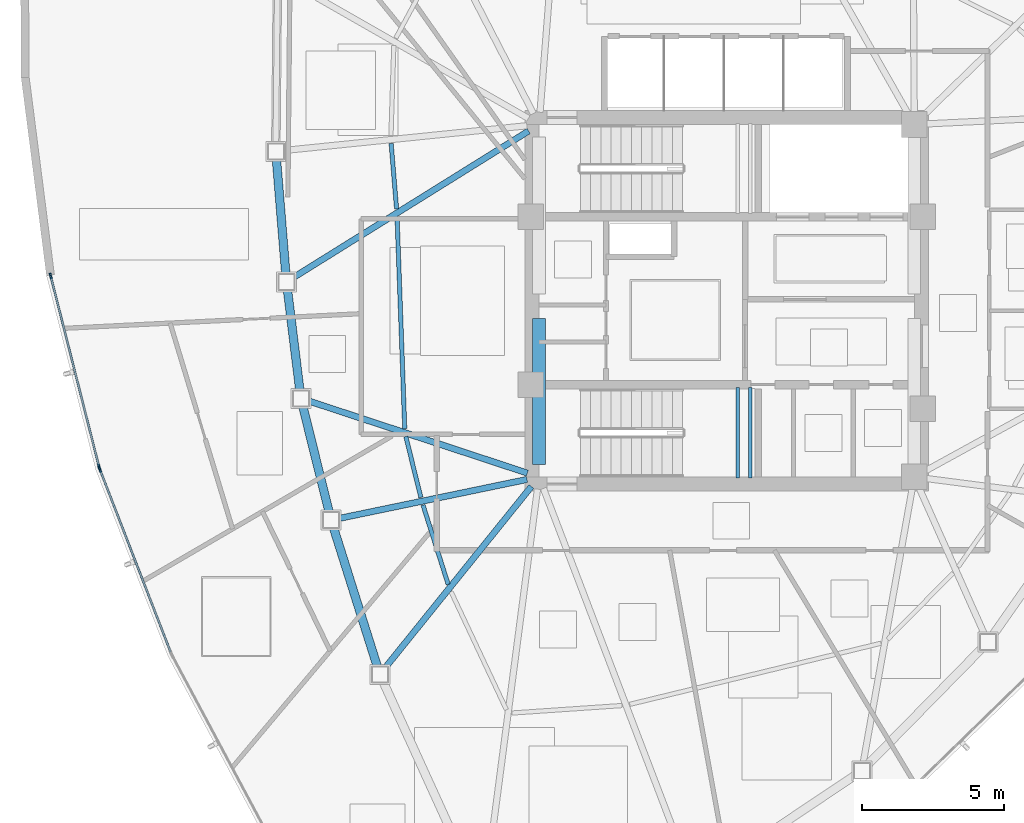
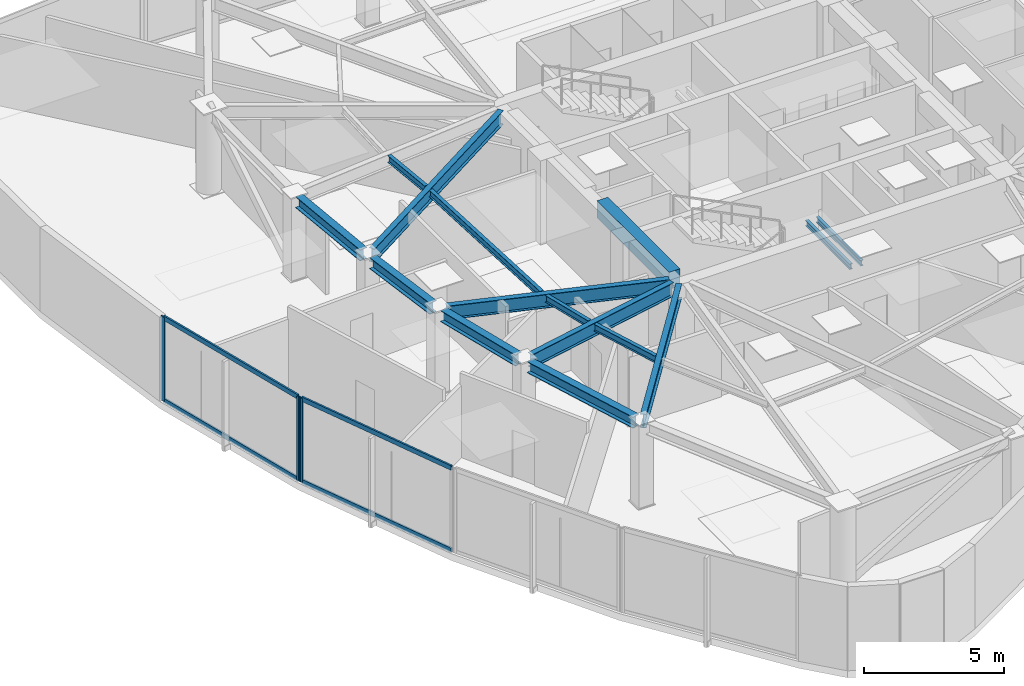
# One storey, part 3 of 13: 15 beams, 7 members, 2 elements without a shape of their own.
"""IFC4 building model written with IfcOpenShell, lengths in metres."""

from ifc_helpers import new_model, si_unit, direction, frame, origin, origin_2d, place, context, subcontext, project, spatial, rectangle, hollow_rectangle, i_section, extrude, source, transform, mapped, material, layer, layer_set, material_profile, profile_set, type_object, type_shapes, element, aggregate, save


model = new_model("IFC4")

# Units and contexts
model_context = context("Model", 3, precision=1e-05, world=origin(), true_north=direction((0.0, 1.0)))
body_context = subcontext(model_context, "Body", "Model", "MODEL_VIEW")
ifc_project = project(units=[si_unit("LENGTHUNIT", "METRE"), si_unit("AREAUNIT", "SQUARE_METRE"), si_unit("VOLUMEUNIT", "CUBIC_METRE"), si_unit("PLANEANGLEUNIT", "RADIAN"), si_unit("MASSUNIT", "GRAM", prefix="KILO")], contexts=[model_context])

# Site, building, storey
site_placement = place(None, origin())
site = spatial("IfcSite", under=ifc_project, at=site_placement, CompositionType="ELEMENT")
building_placement = place(site_placement, origin())
building = spatial("IfcBuilding", under=site, at=building_placement, Name="Tavelor Broadcast Tower", CompositionType="ELEMENT")
storey_placement = place(building_placement, frame((0.0, 0.0, 241.89990234375)))
storey = spatial("IfcBuildingStorey", under=building, at=storey_placement, Name="L57", CompositionType="ELEMENT", Elevation=241.89990234375)

# Beams
ifc_material_1 = material(Name="Concrete C40/50", Category="concrete")
ifc_material_profile_1 = material_profile(ifc_material_1, rectangle(XDim=0.449951171875, YDim=0.75, at=origin_2d()), Name="RC 450x750")
ifc_profile_set_1 = profile_set([ifc_material_profile_1], Name="Concrete C40/50")
beam_type_1 = type_object("IfcBeamType", Name="Basement Core Trim Beam 450x750", PredefinedType="BEAM", material=ifc_profile_set_1)
beam_1_placement = place(storey_placement, frame((43.39990234375, 39.23193359375, 3.275146484375), z_axis=(0.0, 1.0, 0.0), x_axis=(-1.0, 0.0, 0.0)))
element("IfcBeam", 1, at=beam_1_placement, inside=storey, type_object=beam_type_1, Name="L57 Core West-S Tie Girder", PredefinedType="BEAM", context=body_context, shape_type="SweptSolid", body=[
    extrude(rectangle(XDim=0.449951171875, YDim=0.75, at=origin_2d()), origin(), (0.0, 0.0, 1.0), 5.135986328125),
])
ifc_material_2 = material(Name="Steel S355", Category="steel")
ifc_material_profile_2 = material_profile(ifc_material_2, i_section(OverallWidth=0.14990234375, OverallDepth=0.300048828125, WebThickness=0.007080078125, FlangeThickness=0.0107421875, at=origin_2d()), Name="IPE 300")
ifc_profile_set_2 = profile_set([ifc_material_profile_2], Name="Steel S355")
beam_type_2 = type_object("IfcBeamType", Name="Composite Floor Joist T5 IPE 300", PredefinedType="JOIST", material=ifc_profile_set_2)
beam_2_placement = place(storey_placement, frame((38.19580078125, 50.529541015625, 3.5), z_axis=(0.082940684636, -0.996554485631, 0.0), x_axis=(0.996554485631, 0.082940684636, 0.0)))
element("IfcBeam", 2, at=beam_2_placement, inside=storey, type_object=beam_type_2, Name="L57 Secondary Composite Floor Joist 02", PredefinedType="JOIST", context=body_context, shape_type="SweptSolid", body=[
    extrude(i_section(OverallWidth=0.14990234375, OverallDepth=0.300048828125, WebThickness=0.007080078125, FlangeThickness=0.0107421875, at=origin_2d()), origin(), (0.0, 0.0, 1.0), 2.313720703125),
])
beam_3_placement = place(storey_placement, frame((38.404296875, 47.945556640625, 3.5), z_axis=(0.036223057878, -0.999343729694, 0.0), x_axis=(0.999343729694, 0.036223057878, 0.0)))
element("IfcBeam", 3, at=beam_3_placement, inside=storey, type_object=beam_type_2, Name="L57 Secondary Composite Floor Joist 03", PredefinedType="JOIST", context=body_context, shape_type="SweptSolid", body=[
    extrude(i_section(OverallWidth=0.14990234375, OverallDepth=0.300048828125, WebThickness=0.007080078125, FlangeThickness=0.0107421875, at=origin_2d()), origin(), (0.0, 0.0, 1.0), 7.454345703125),
])
beam_4_placement = place(storey_placement, frame((38.712646484375, 40.221435546875, 3.5), z_axis=(0.239592093356, -0.970873642037, 0.0), x_axis=(0.970873642037, 0.239592093356, 0.0)))
element("IfcBeam", 4, at=beam_4_placement, inside=storey, type_object=beam_type_2, Name="L57 Secondary Composite Floor Joist 04", PredefinedType="JOIST", context=body_context, shape_type="SweptSolid", body=[
    extrude(i_section(OverallWidth=0.14990234375, OverallDepth=0.300048828125, WebThickness=0.007080078125, FlangeThickness=0.0107421875, at=origin_2d()), origin(), (0.0, 0.0, 1.0), 2.2060546875),
])
beam_5_placement = place(storey_placement, frame((39.316650390625, 37.811279296875, 3.5), z_axis=(0.302412009178, -0.953177306017, 0.0), x_axis=(0.953177306017, 0.302412009178, 0.0)))
element("IfcBeam", 5, at=beam_5_placement, inside=storey, type_object=beam_type_2, Name="L57 Secondary Composite Floor Joist 05", PredefinedType="JOIST", context=body_context, shape_type="SweptSolid", body=[
    extrude(i_section(OverallWidth=0.14990234375, OverallDepth=0.300048828125, WebThickness=0.007080078125, FlangeThickness=0.0107421875, at=origin_2d()), origin(), (0.0, 0.0, 1.0), 2.92822265625),
])
ifc_material_profile_3 = material_profile(ifc_material_2, i_section(OverallWidth=0.300048828125, OverallDepth=0.489990234375, WebThickness=0.011962890625, FlangeThickness=0.02294921875, at=origin_2d()), Name="HEA 500")
ifc_profile_set_3 = profile_set([ifc_material_profile_3], Name="Steel S355")
beam_type_3 = type_object("IfcBeamType", Name="Perimeter Spandrel Beam T5 HEA 500", PredefinedType="SPANDREL", material=ifc_profile_set_3)
beam_6_placement = place(storey_placement, frame((34.16064453125, 49.968994140625, 3.405029296875), z_axis=(0.081762275835, -0.996651860105, 0.0), x_axis=(0.996651860105, 0.081762275835, 0.0)))
element("IfcBeam", 6, at=beam_6_placement, inside=storey, type_object=beam_type_3, Name="L57 Framed-Tube Ring Spandrel 02", PredefinedType="SPANDREL", context=body_context, shape_type="SweptSolid", body=[
    extrude(i_section(OverallWidth=0.300048828125, OverallDepth=0.489990234375, WebThickness=0.011962890625, FlangeThickness=0.02294921875, at=origin_2d()), origin(), (0.0, 0.0, 1.0), 4.031005859375),
])
beam_7_placement = place(storey_placement, frame((34.548828125, 45.378662109375, 3.405029296875), z_axis=(0.122285270418, -0.99249499376, 0.0), x_axis=(0.99249499376, 0.122285270418, 0.0)))
element("IfcBeam", 7, at=beam_7_placement, inside=storey, type_object=beam_type_3, Name="L57 Framed-Tube Ring Spandrel 03", PredefinedType="SPANDREL", context=body_context, shape_type="SweptSolid", body=[
    extrude(i_section(OverallWidth=0.300048828125, OverallDepth=0.489990234375, WebThickness=0.011962890625, FlangeThickness=0.02294921875, at=origin_2d()), origin(), (0.0, 0.0, 1.0), 3.5556640625),
])
beam_8_placement = place(storey_placement, frame((35.08837890625, 41.284423828125, 3.405029296875), z_axis=(0.24127750007, -0.970456164883, 0.0), x_axis=(0.970456164883, 0.24127750007, 0.0)))
element("IfcBeam", 8, at=beam_8_placement, inside=storey, type_object=beam_type_3, Name="L57 Framed-Tube Ring Spandrel 04", PredefinedType="SPANDREL", context=body_context, shape_type="SweptSolid", body=[
    extrude(i_section(OverallWidth=0.300048828125, OverallDepth=0.489990234375, WebThickness=0.011962890625, FlangeThickness=0.02294921875, at=origin_2d()), origin(), (0.0, 0.0, 1.0), 3.8359375),
])
beam_9_placement = place(storey_placement, frame((36.170166015625, 37.0078125, 3.405029296875), z_axis=(0.300957826527, -0.95363745032, 0.0), x_axis=(0.95363745032, 0.300957826527, 0.0)))
element("IfcBeam", 9, at=beam_9_placement, inside=storey, type_object=beam_type_3, Name="L57 Framed-Tube Ring Spandrel 05", PredefinedType="SPANDREL", context=body_context, shape_type="SweptSolid", body=[
    extrude(i_section(OverallWidth=0.300048828125, OverallDepth=0.489990234375, WebThickness=0.011962890625, FlangeThickness=0.02294921875, at=origin_2d()), origin(), (0.0, 0.0, 1.0), 5.1171875),
])
ifc_material_profile_4 = material_profile(ifc_material_2, i_section(OverallWidth=0.219970703125, OverallDepth=0.60009765625, WebThickness=0.011962890625, FlangeThickness=0.01904296875, at=origin_2d()), Name="IPE 600")
ifc_profile_set_4 = profile_set([ifc_material_profile_4], Name="Steel S355")
beam_type_4 = type_object("IfcBeamType", Name="Radial Floor Girder T5 IPE 600", PredefinedType="BEAM", material=ifc_profile_set_4)
beam_10_placement = place(storey_placement, frame((43.033203125, 50.9716796875, 3.35009765625), z_axis=(-0.848782406462, -0.528742306309, 0.0), x_axis=(0.528742306309, -0.848782406462, 0.0)))
element("IfcBeam", 10, at=beam_10_placement, inside=storey, type_object=beam_type_4, Name="L57 Radial Primary Floor Girder 03", PredefinedType="BEAM", context=body_context, shape_type="SweptSolid", body=[
    extrude(i_section(OverallWidth=0.219970703125, OverallDepth=0.60009765625, WebThickness=0.011962890625, FlangeThickness=0.01904296875, at=origin_2d()), origin(), (0.0, 0.0, 1.0), 9.7490234375),
])
beam_11_placement = place(storey_placement, frame((42.98974609375, 38.935302734375, 3.35009765625), z_axis=(-0.949693529109, 0.313180779692, 0.0), x_axis=(-0.313180779692, -0.949693529109, 0.0)))
element("IfcBeam", 11, at=beam_11_placement, inside=storey, type_object=beam_type_4, Name="L57 Radial Primary Floor Girder 04", PredefinedType="BEAM", context=body_context, shape_type="SweptSolid", body=[
    extrude(i_section(OverallWidth=0.219970703125, OverallDepth=0.60009765625, WebThickness=0.011962890625, FlangeThickness=0.01904296875, at=origin_2d()), origin(), (0.0, 0.0, 1.0), 8.10498046875),
])
beam_12_placement = place(storey_placement, frame((42.97705078125, 38.71240234375, 3.35009765625), z_axis=(-0.979152429868, -0.203126854658, 0.0), x_axis=(0.203126854658, -0.979152429868, 0.0)))
element("IfcBeam", 12, at=beam_12_placement, inside=storey, type_object=beam_type_4, Name="L57 Radial Primary Floor Girder 05", PredefinedType="BEAM", context=body_context, shape_type="SweptSolid", body=[
    extrude(i_section(OverallWidth=0.219970703125, OverallDepth=0.60009765625, WebThickness=0.011962890625, FlangeThickness=0.01904296875, at=origin_2d()), origin(), (0.0, 0.0, 1.0), 6.75244140625),
])
beam_13_placement = place(storey_placement, frame((43.12890625, 38.463623046875, 3.35009765625), z_axis=(-0.627821660469, -0.778357220463, 0.0), x_axis=(0.778357220463, -0.627821660469, 0.0)))
element("IfcBeam", 13, at=beam_13_placement, inside=storey, type_object=beam_type_4, Name="L57 Radial Primary Floor Girder 06", PredefinedType="BEAM", context=body_context, shape_type="SweptSolid", body=[
    extrude(i_section(OverallWidth=0.219970703125, OverallDepth=0.60009765625, WebThickness=0.011962890625, FlangeThickness=0.01904296875, at=origin_2d()), origin(), (0.0, 0.0, 1.0), 8.204833984375),
])
ifc_material_profile_5 = material_profile(ifc_material_2, i_section(OverallWidth=0.1201171875, OverallDepth=0.239990234375, WebThickness=0.006103515625, FlangeThickness=0.009765625, at=origin_2d()), Name="IPE 240")
ifc_profile_set_5 = profile_set([ifc_material_profile_5], Name="Steel S355")
beam_type_5 = type_object("IfcBeamType", Name="Stairwell Landing Support Trimmer Beam IPE240", PredefinedType="BEAM", material=ifc_profile_set_5)
for number, where, z_axis, x_axis, name in (
    (14, (50.385009765625, 38.760009765625, 1.66015625), (0.0, 1.0, 0.0), (-1.0, 0.0, 0.0), "L57 Stair Landing Support Beam 369"),
    (15, (50.824951171875, 38.760009765625, 1.66015625), (0.0, 1.0, 0.0), (-1.0, 0.0, 0.0), "L57 Stair Landing Support Beam 370"),
):
    element("IfcBeam", number, at=place(storey_placement, frame(where, z_axis=z_axis, x_axis=x_axis)), inside=storey, type_object=beam_type_5, Name=name, PredefinedType="BEAM", context=body_context, shape_type="SweptSolid", body=[
        extrude(i_section(OverallWidth=0.1201171875, OverallDepth=0.239990234375, WebThickness=0.006103515625, FlangeThickness=0.009765625, at=origin_2d()), origin(), (0.0, 0.0, 1.0), 3.179931640625),
    ])

# Curtain wall, members
ifc_material_3 = material(Name="Architectural Anodized Aluminium", Category="aluminium")
ifc_layer = layer(ifc_material_3, 0.199951171875)
ifc_layer_set = layer_set([ifc_layer], Name="Architectural Anodized Aluminium")
curtain_wall_type = type_object("IfcCurtainWallType", Name="Tower High-Zone Triple-Glazed Curtain Wall CW04", PredefinedType="NOTDEFINED", material=ifc_layer_set)
curtain_wall_1_placement = place(storey_placement, origin())
curtain_wall_1 = element("IfcCurtainWall", 16, at=curtain_wall_1_placement, inside=storey, type_object=curtain_wall_type, Name="L57 Curtain Wall CW04 Run 613", PredefinedType="NOTDEFINED")
ifc_material_profile_6 = material_profile(ifc_material_3, hollow_rectangle(XDim=0.070068359375, YDim=0.199951171875, WallThickness=0.02197265625, at=origin_2d()), Name="RHS 70x200x22")
ifc_profile_set_6 = profile_set([ifc_material_profile_6], Name="Architectural Anodized Aluminium")
member_type_1 = type_object("IfcMemberType", Name="CW04 Extruded Aluminium Mullion 70x200", PredefinedType="MULLION", material=ifc_profile_set_6)
shared_shape_1 = source(origin(), body_context, "Body", "SweptSolid", [
    extrude(hollow_rectangle(XDim=0.070068359375, YDim=0.199951171875, WallThickness=0.02197265625, at=origin_2d()), origin(), (0.0, 0.0, 1.0), 3.650146484375),
])
type_shapes(member_type_1, [shared_shape_1])
member_1_placement = place(storey_placement, frame((26.216064453125, 45.8740234375, 0.0), z_axis=(0.0, 0.0, 1.0), x_axis=(0.969339166789, 0.245726636183, 0.0)))
member_1 = element("IfcMember", 17, at=member_1_placement, type_object=member_type_1, Name="CW04 mullion 1", PredefinedType="MULLION", context=body_context, shape_type="MappedRepresentation", body=[
    mapped(shared_shape_1, transform((0.0, 0.0, 0.0), scale=1.0)),
])
member_2_placement = place(storey_placement, frame((27.91943359375, 39.154541015625, 0.0), z_axis=(0.0, 0.0, 1.0), x_axis=(0.969339166789, 0.245726636183, 0.0)))
member_2 = element("IfcMember", 18, at=member_2_placement, type_object=member_type_1, Name="CW04 mullion 2", PredefinedType="MULLION", context=body_context, shape_type="MappedRepresentation", body=[
    mapped(shared_shape_1, transform((0.0, 0.0, 0.0), scale=1.0)),
])

# Curtain wall, member
curtain_wall_2_placement = place(storey_placement, origin())
curtain_wall_2 = element("IfcCurtainWall", 19, at=curtain_wall_2_placement, inside=storey, type_object=curtain_wall_type, Name="L57 Curtain Wall CW04 Run 614", PredefinedType="NOTDEFINED")
member_3_placement = place(storey_placement, frame((27.94970703125, 39.0595703125, 0.0), z_axis=(0.0, 0.0, 1.0), x_axis=(0.932476057505, 0.361231784566, 0.0)))
member_3 = element("IfcMember", 20, at=member_3_placement, type_object=member_type_1, Name="CW04 mullion 1", PredefinedType="MULLION", context=body_context, shape_type="MappedRepresentation", body=[
    mapped(shared_shape_1, transform((0.0, 0.0, 0.0), scale=1.0)),
])

# Member
ifc_material_profile_7 = material_profile(ifc_material_3, hollow_rectangle(XDim=0.070068359375, YDim=0.199951171875, WallThickness=0.02197265625, at=origin_2d()), Name="RHS 70x200x22")
ifc_profile_set_7 = profile_set([ifc_material_profile_7], Name="Architectural Anodized Aluminium")
member_type_2 = type_object("IfcMemberType", Name="CW04 Extruded Aluminium Transom 70x200", PredefinedType="USERDEFINED", material=ifc_profile_set_7)
shared_shape_2 = source(origin(), body_context, "Body", "SweptSolid", [
    extrude(hollow_rectangle(XDim=0.070068359375, YDim=0.199951171875, WallThickness=0.02197265625, at=origin_2d()), origin(), (0.0, 0.0, 1.0), 6.862060546875),
])
member_4_placement = place(storey_placement, frame((26.224609375, 45.840087890625, 0.03515625), z_axis=(0.245740549226, -0.969335639738, 0.0), x_axis=(0.969335639738, 0.245740549226, 0.0)))
member_4 = element("IfcMember", 21, at=member_4_placement, type_object=member_type_2, Name="CW04 transom 1.1", ObjectType="TRANSOM", PredefinedType="USERDEFINED", context=body_context, shape_type="MappedRepresentation", body=[
    mapped(shared_shape_2, transform((0.0, 0.0, 0.0), scale=1.0)),
])

member_5_placement = place(storey_placement, frame((26.224609375, 45.840087890625, 3.614990234375), z_axis=(0.245740549226, -0.969335639738, 0.0), x_axis=(0.969335639738, 0.245740549226, 0.0)))
member_5 = element("IfcMember", 22, at=member_5_placement, type_object=member_type_2, Name="CW04 transom 1.2", ObjectType="TRANSOM", PredefinedType="USERDEFINED", context=body_context, shape_type="MappedRepresentation", body=[
    mapped(shared_shape_2, transform((0.0, 0.0, 0.0), scale=1.0)),
])

aggregate(curtain_wall_1, [member_1, member_2, member_4, member_5])

shared_shape_3 = source(origin(), body_context, "Body", "SweptSolid", [
    extrude(hollow_rectangle(XDim=0.070068359375, YDim=0.199951171875, WallThickness=0.02197265625, at=origin_2d()), origin(), (0.0, 0.0, 1.0), 6.84716796875),
])
type_shapes(member_type_2, [shared_shape_2, shared_shape_3])
member_6_placement = place(storey_placement, frame((27.96240234375, 39.02685546875, 0.03515625), z_axis=(0.361231163107, -0.932476298251, 0.0), x_axis=(0.932476298251, 0.361231163107, 0.0)))
member_6 = element("IfcMember", 23, at=member_6_placement, type_object=member_type_2, Name="CW04 transom 1.1", ObjectType="TRANSOM", PredefinedType="USERDEFINED", context=body_context, shape_type="MappedRepresentation", body=[
    mapped(shared_shape_3, transform((0.0, 0.0, 0.0), scale=1.0)),
])

member_7_placement = place(storey_placement, frame((27.96240234375, 39.02685546875, 3.614990234375), z_axis=(0.361231163107, -0.932476298251, 0.0), x_axis=(0.932476298251, 0.361231163107, 0.0)))
member_7 = element("IfcMember", 24, at=member_7_placement, type_object=member_type_2, Name="CW04 transom 1.2", ObjectType="TRANSOM", PredefinedType="USERDEFINED", context=body_context, shape_type="MappedRepresentation", body=[
    mapped(shared_shape_3, transform((0.0, 0.0, 0.0), scale=1.0)),
])

aggregate(curtain_wall_2, [member_3, member_6, member_7])

save(model, "model.ifc")
